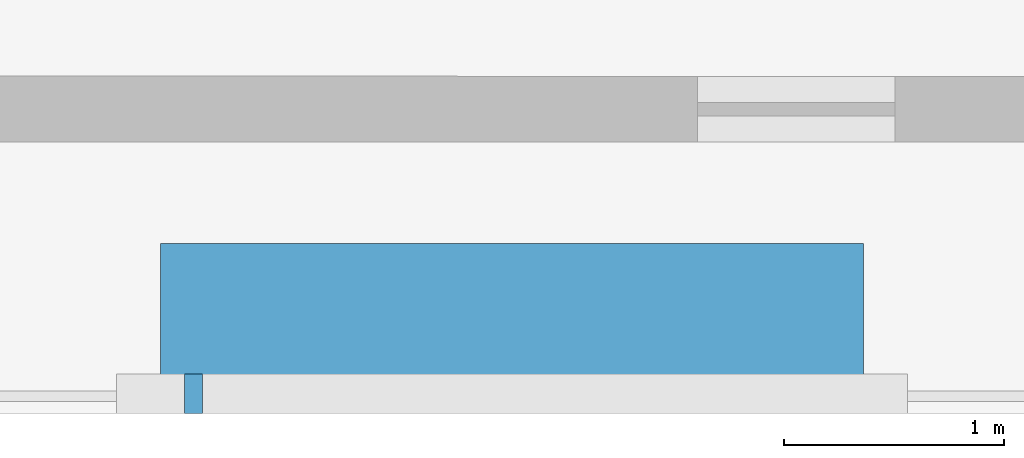
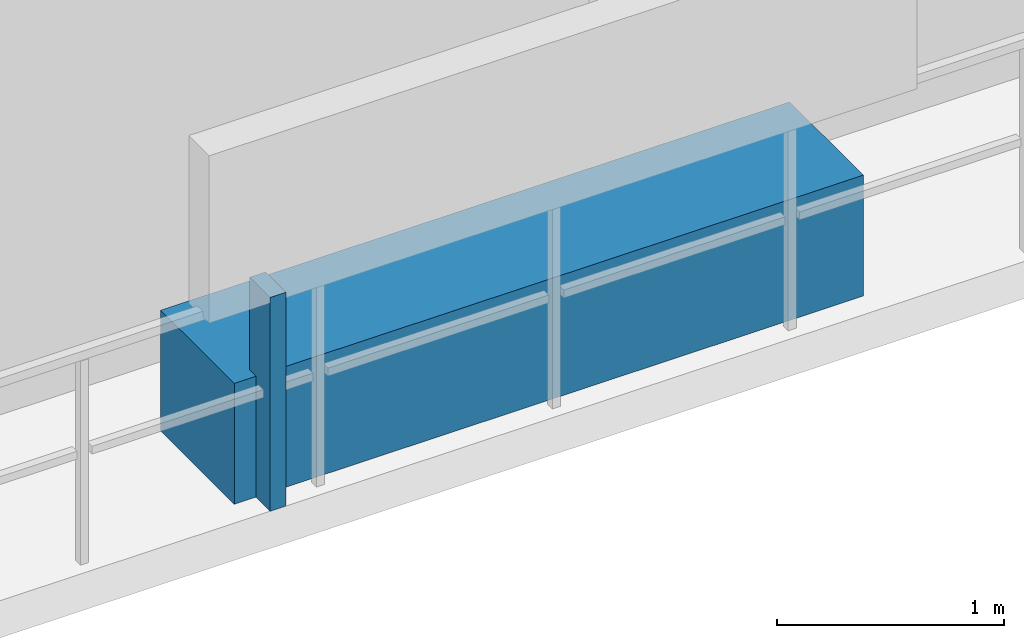
# One storey, part 30 of 35: 2 discrete accessories.
"""IFC4 building model written with IfcOpenShell, lengths in metres."""

from ifc_helpers import new_model, si_unit, direction, frame, origin, origin_2d, place, context, subcontext, project, spatial, rectangle, extrude, material, type_object, element, save


model = new_model("IFC4")

# Units and contexts
model_context = context("Model", 3, precision=1e-05, world=origin(), true_north=direction((0.0, 1.0)))
body_context = subcontext(model_context, "Body", "Model", "MODEL_VIEW")
ifc_project = project(units=[si_unit("LENGTHUNIT", "METRE"), si_unit("AREAUNIT", "SQUARE_METRE"), si_unit("VOLUMEUNIT", "CUBIC_METRE"), si_unit("PLANEANGLEUNIT", "RADIAN"), si_unit("MASSUNIT", "GRAM", prefix="KILO")], contexts=[model_context])

# Site, building, storey
site_placement = place(None, origin())
site = spatial("IfcSite", under=ifc_project, at=site_placement, CompositionType="ELEMENT")
building_placement = place(site_placement, origin())
building = spatial("IfcBuilding", under=site, at=building_placement, Name="Thornwick Lancets Civic Towers", CompositionType="ELEMENT")
storey_placement = place(building_placement, frame((0.0, 0.0, 64.5)))
storey = spatial("IfcBuildingStorey", under=building, at=storey_placement, Name="L16", CompositionType="ELEMENT", Elevation=64.5)

# Discrete accessories
ifc_material_1 = material(Name="Planted terracotta greenery planter", Category="masonry")
discrete_accessory_type_1 = type_object("IfcDiscreteAccessoryType", Name="ACC_PLANTER_BOX", PredefinedType="USERDEFINED", material=ifc_material_1)
discrete_accessory_1_placement = place(storey_placement, frame((25.5, 1.800048828125, 0.0), z_axis=(0.0, 0.0, 1.0), x_axis=(1.0, 0.0, 0.0)))
element("IfcDiscreteAccessory", 1, at=discrete_accessory_1_placement, inside=storey, type_object=discrete_accessory_type_1, Name="L16 Tower A Balcony Greenery Planter S", ObjectType="PLANTER", PredefinedType="USERDEFINED", context=body_context, shape_type="SweptSolid", body=[
    extrude(rectangle(XDim=3.199951171875, YDim=0.64990234375, at=origin_2d()), origin(), (0.0, 0.0, 1.0), 0.64990234375),
])
ifc_material_2 = material(Name="Stainless steel S355", Category="steel")
discrete_accessory_type_2 = type_object("IfcDiscreteAccessoryType", Name="ACC_SCREEN_BRACKET", PredefinedType="BRACKET", material=ifc_material_2)
discrete_accessory_2_placement = place(storey_placement, frame((24.050048828125, 1.43994140625, 0.0), z_axis=(0.0, 0.0, 1.0), x_axis=(1.0, 0.0, 0.0)))
element("IfcDiscreteAccessory", 2, at=discrete_accessory_2_placement, inside=storey, type_object=discrete_accessory_type_2, Name="L16 Tower A Balcony Screen Stanchion Bracket S-1", PredefinedType="BRACKET", context=body_context, shape_type="SweptSolid", body=[
    extrude(rectangle(XDim=0.080078125, YDim=0.179931640625, at=origin_2d()), origin(), (0.0, 0.0, 1.0), 1.14990234375),
])

save(model, "model.ifc")
